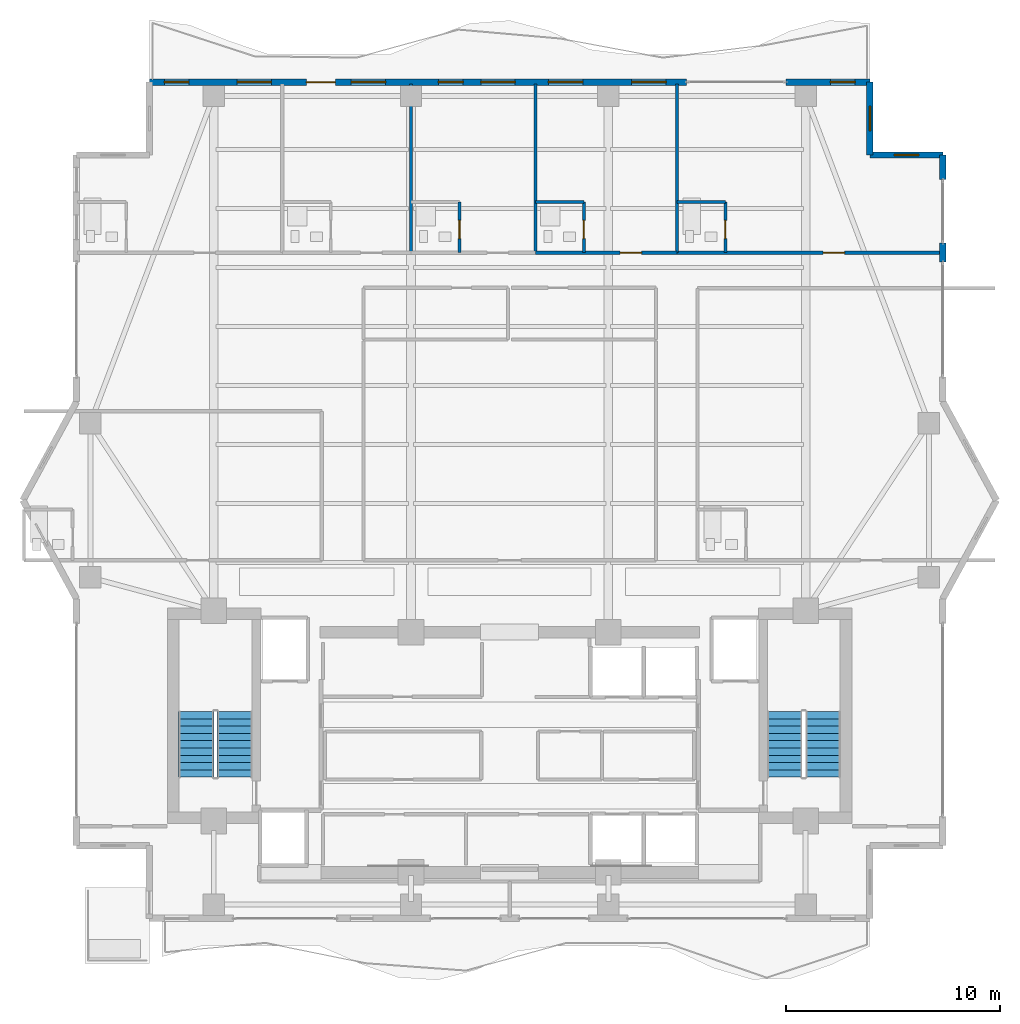
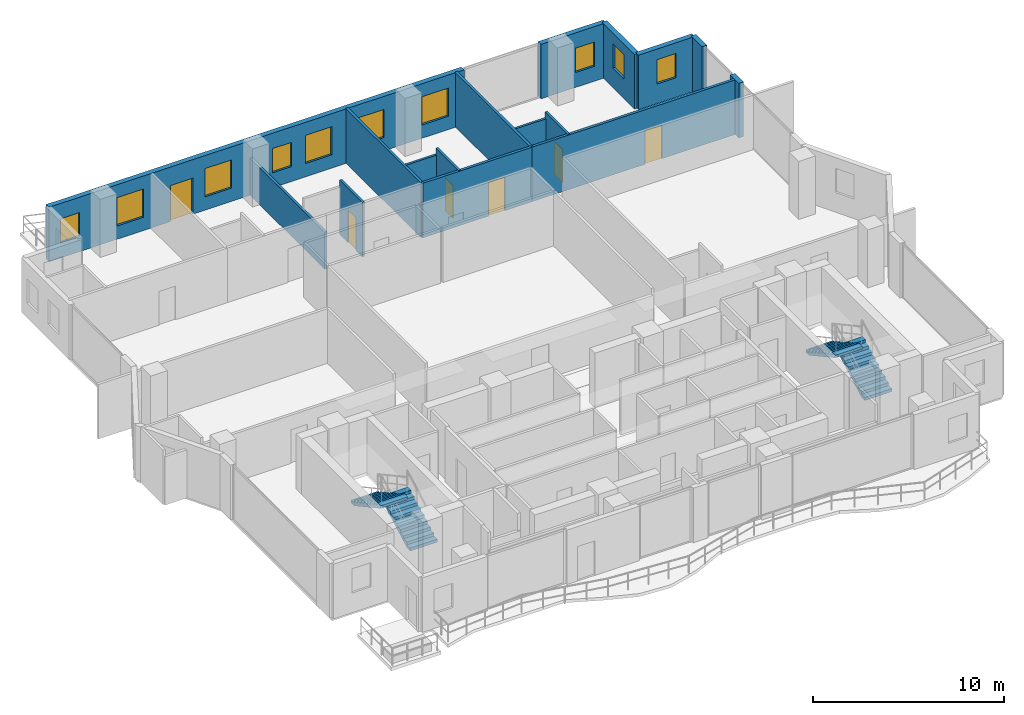
# One storey, part 21 of 26: 16 walls, 10 windows, 6 doors, 4 stair flights, 16 openings, 2 elements without a shape of their own.
"""IFC4 building model written with IfcOpenShell, lengths in metres."""

from ifc_helpers import new_model, si_unit, direction, frame, frame_2d, origin, place, context, subcontext, project, spatial, polyline, rectangle, outline, extrude, material, layer, layer_set, type_object, element, fill, aggregate, save


model = new_model("IFC4")

# Units and contexts
model_context = context("Model", 3, precision=1e-05, world=origin(), true_north=direction((0.0, 1.0)))
body_context = subcontext(model_context, "Body", "Model", "MODEL_VIEW")
ifc_project = project(units=[si_unit("LENGTHUNIT", "METRE"), si_unit("AREAUNIT", "SQUARE_METRE"), si_unit("VOLUMEUNIT", "CUBIC_METRE"), si_unit("PLANEANGLEUNIT", "RADIAN"), si_unit("MASSUNIT", "GRAM", prefix="KILO")], contexts=[model_context])

# Site, building, storey
site_placement = place(None, origin())
site = spatial("IfcSite", under=ifc_project, at=site_placement, CompositionType="ELEMENT")
building_placement = place(site_placement, origin())
building = spatial("IfcBuilding", under=site, at=building_placement, Name="Zuhayl Quay Hotel", CompositionType="ELEMENT")
storey_placement = place(building_placement, frame((0.0, 0.0, 247.050048828125)))
storey = spatial("IfcBuildingStorey", under=building, at=storey_placement, Name="L62", CompositionType="ELEMENT", Elevation=247.050048828125)

# Wall, openings, door, windows
ifc_material_1 = material(Name="Precast concrete C45/55", Category="concrete")
ifc_layer_1 = layer(ifc_material_1, 0.300048828125, Name="Precast concrete C45/55", Category="concrete")
ifc_layer_set_1 = layer_set([ifc_layer_1], Name="Precast concrete C45/55")
wall_type_1 = type_object("IfcWallType", Name="WL_EXT_300", PredefinedType="STANDARD", material=ifc_layer_set_1)
wall_1_placement = place(storey_placement, frame((-16.800048828125, 39.0, 0.0), z_axis=(0.0, 0.0, 1.0), x_axis=(1.0, 0.0, 0.0)))
wall_1 = element("IfcWall", 1, at=wall_1_placement, inside=storey, type_object=wall_type_1, Name="L62 Exterior Precast Wall ENV_L62_N_EW1", PredefinedType="STANDARD", context=body_context, shape_type="SweptSolid", body=[
    extrude(rectangle(XDim=25.050048828125, YDim=0.300048828125, at=frame_2d((12.52490234375, 0.0))), origin(), (0.0, 0.0, 1.0), 3.47998046875),
])
opening_1_placement = place(wall_1_placement, frame((7.324951171875, 0.0, 0.0)))
opening_1 = element("IfcOpeningElement", 2, at=opening_1_placement, cuts=wall_1, Name="Opening DG2", PredefinedType="OPENING", context=body_context, shape_type="SweptSolid", body=[
    extrude(rectangle(XDim=1.35009765625, YDim=2.300048828125, at=frame_2d((0.675048828125, 1.14990234375))), frame((0.0, 0.159912109375, 0.0), z_axis=(0.0, -1.0, 0.0), x_axis=(1.0, 0.0, 0.0)), (0.0, 0.0, 1.0), 0.320068359375),
])
opening_2_placement = place(wall_1_placement, frame((15.4599609375, 0.0, 0.85009765625)))
opening_2 = element("IfcOpeningElement", 3, at=opening_2_placement, cuts=wall_1, Name="Opening W01", PredefinedType="OPENING", context=body_context, shape_type="SweptSolid", body=[
    extrude(rectangle(XDim=1.60009765625, YDim=1.800048828125, at=frame_2d((0.800048828125, 0.89990234375))), frame((0.0, 0.159912109375, 0.0), z_axis=(0.0, -1.0, 0.0), x_axis=(1.0, 0.0, 0.0)), (0.0, 0.0, 1.0), 0.320068359375),
])
opening_3_placement = place(wall_1_placement, frame((0.695068359375, 0.0, 0.949951171875)))
opening_3 = element("IfcOpeningElement", 4, at=opening_3_placement, cuts=wall_1, Name="Opening W01N", PredefinedType="OPENING", context=body_context, shape_type="SweptSolid", body=[
    extrude(rectangle(XDim=1.14990234375, YDim=1.550048828125, at=frame_2d((0.574951171875, 0.77490234375))), frame((0.0, 0.159912109375, 0.0), z_axis=(0.0, -1.0, 0.0), x_axis=(1.0, 0.0, 0.0)), (0.0, 0.0, 1.0), 0.320068359375),
])
opening_4_placement = place(wall_1_placement, frame((4.090087890625, 0.0, 0.85009765625)))
opening_4 = element("IfcOpeningElement", 5, at=opening_4_placement, cuts=wall_1, Name="Opening W01", PredefinedType="OPENING", context=body_context, shape_type="SweptSolid", body=[
    extrude(rectangle(XDim=1.60009765625, YDim=1.800048828125, at=frame_2d((0.800048828125, 0.89990234375))), frame((0.0, 0.159912109375, 0.0), z_axis=(0.0, -1.0, 0.0), x_axis=(1.0, 0.0, 0.0)), (0.0, 0.0, 1.0), 0.320068359375),
])
opening_5_placement = place(wall_1_placement, frame((9.41259765625, 0.0, 0.85009765625)))
opening_5 = element("IfcOpeningElement", 6, at=opening_5_placement, cuts=wall_1, Name="Opening W01", PredefinedType="OPENING", context=body_context, shape_type="SweptSolid", body=[
    extrude(rectangle(XDim=1.60009765625, YDim=1.800048828125, at=frame_2d((0.800048828125, 0.89990234375))), frame((0.0, 0.159912109375, 0.0), z_axis=(0.0, -1.0, 0.0), x_axis=(1.0, 0.0, 0.0)), (0.0, 0.0, 1.0), 0.320068359375),
])
opening_6_placement = place(wall_1_placement, frame((13.47998046875, 0.0, 0.949951171875)))
opening_6 = element("IfcOpeningElement", 7, at=opening_6_placement, cuts=wall_1, Name="Opening W01N", PredefinedType="OPENING", context=body_context, shape_type="SweptSolid", body=[
    extrude(rectangle(XDim=1.14990234375, YDim=1.550048828125, at=frame_2d((0.574951171875, 0.77490234375))), frame((0.0, 0.159912109375, 0.0), z_axis=(0.0, -1.0, 0.0), x_axis=(1.0, 0.0, 0.0)), (0.0, 0.0, 1.0), 0.320068359375),
])
opening_7_placement = place(wall_1_placement, frame((18.610107421875, 0.0, 0.85009765625)))
opening_7 = element("IfcOpeningElement", 8, at=opening_7_placement, cuts=wall_1, Name="Opening W01", PredefinedType="OPENING", context=body_context, shape_type="SweptSolid", body=[
    extrude(rectangle(XDim=1.60009765625, YDim=1.800048828125, at=frame_2d((0.800048828125, 0.89990234375))), frame((0.0, 0.159912109375, 0.0), z_axis=(0.0, -1.0, 0.0), x_axis=(1.0, 0.0, 0.0)), (0.0, 0.0, 1.0), 0.320068359375),
])
opening_8_placement = place(wall_1_placement, frame((22.489990234375, 0.0, 0.85009765625)))
opening_8 = element("IfcOpeningElement", 9, at=opening_8_placement, cuts=wall_1, Name="Opening W01", PredefinedType="OPENING", context=body_context, shape_type="SweptSolid", body=[
    extrude(rectangle(XDim=1.60009765625, YDim=1.800048828125, at=frame_2d((0.800048828125, 0.89990234375))), frame((0.0, 0.159912109375, 0.0), z_axis=(0.0, -1.0, 0.0), x_axis=(1.0, 0.0, 0.0)), (0.0, 0.0, 1.0), 0.320068359375),
])
ifc_material_2 = material(Name="Anodised Aluminium and Dark Solar Glass", Category="aluminium")
door_type_1 = type_object("IfcDoorType", Name="DR_EXT_TERR_1350", OperationType="NOTDEFINED", PredefinedType="DOOR", material=ifc_material_2)
door_1_placement = place(opening_1_placement, origin())
door_1 = element("IfcDoor", 10, at=door_1_placement, inside=storey, type_object=door_type_1, Name="L62 North Rippling Balcony Door", OperationType="SINGLE_SWING_LEFT", OverallHeight=2.300048828125, OverallWidth=1.35009765625, PredefinedType="DOOR", context=body_context, shape_type="SweptSolid", body=[
    extrude(rectangle(XDim=1.35009765625, YDim=2.300048828125, at=frame_2d((0.675048828125, 1.14990234375))), frame((0.0, 0.02490234375, 0.0), z_axis=(0.0, -1.0, 0.0), x_axis=(1.0, 0.0, 0.0)), (0.0, 0.0, 1.0), 0.050048828125),
])
fill(opening_1, door_1)
ifc_material_3 = material(Name="Dark Ceramic-Fritted Solar Glass", Category="glass")
window_type_1 = type_object("IfcWindowType", Name="WN_NOTCH_1350", PartitioningType="SINGLE_PANEL", PredefinedType="WINDOW", material=ifc_material_3)
window_1_placement = place(opening_3_placement, origin())
window_1 = element("IfcWindow", 11, at=window_1_placement, inside=storey, type_object=window_type_1, Name="L62 Operable Facade Window 1-1", OverallHeight=1.550048828125, OverallWidth=1.14990234375, PartitioningType="SINGLE_PANEL", PredefinedType="WINDOW", context=body_context, shape_type="SweptSolid", body=[
    extrude(rectangle(XDim=1.14990234375, YDim=1.550048828125, at=frame_2d((0.574951171875, 0.77490234375))), frame((0.0, 0.030029296875, 0.0), z_axis=(0.0, -1.0, 0.0), x_axis=(1.0, 0.0, 0.0)), (0.0, 0.0, 1.0), 0.06005859375),
])
fill(opening_3, window_1)
window_2_placement = place(opening_6_placement, origin())
window_2 = element("IfcWindow", 12, at=window_2_placement, inside=storey, type_object=window_type_1, Name="L62 Operable Facade Window 1-4", OverallHeight=1.550048828125, OverallWidth=1.14990234375, PartitioningType="SINGLE_PANEL", PredefinedType="WINDOW", context=body_context, shape_type="SweptSolid", body=[
    extrude(rectangle(XDim=1.14990234375, YDim=1.550048828125, at=frame_2d((0.574951171875, 0.77490234375))), frame((0.0, 0.030029296875, 0.0), z_axis=(0.0, -1.0, 0.0), x_axis=(1.0, 0.0, 0.0)), (0.0, 0.0, 1.0), 0.06005859375),
])
fill(opening_6, window_2)
window_type_2 = type_object("IfcWindowType", Name="WN_OPERABLE_1600", PartitioningType="DOUBLE_PANEL_VERTICAL", PredefinedType="WINDOW", material=ifc_material_3)
window_3_placement = place(opening_2_placement, origin())
window_3 = element("IfcWindow", 13, at=window_3_placement, inside=storey, type_object=window_type_2, Name="L62 North Operable Casement Window", OverallHeight=1.800048828125, OverallWidth=1.60009765625, PartitioningType="SINGLE_PANEL", PredefinedType="WINDOW", context=body_context, shape_type="SweptSolid", body=[
    extrude(rectangle(XDim=1.60009765625, YDim=1.800048828125, at=frame_2d((0.800048828125, 0.89990234375))), frame((0.0, 0.030029296875, 0.0), z_axis=(0.0, -1.0, 0.0), x_axis=(1.0, 0.0, 0.0)), (0.0, 0.0, 1.0), 0.06005859375),
])
fill(opening_2, window_3)
window_4_placement = place(opening_4_placement, origin())
window_4 = element("IfcWindow", 14, at=window_4_placement, inside=storey, type_object=window_type_2, Name="L62 Operable Facade Window 1-2", OverallHeight=1.800048828125, OverallWidth=1.60009765625, PartitioningType="SINGLE_PANEL", PredefinedType="WINDOW", context=body_context, shape_type="SweptSolid", body=[
    extrude(rectangle(XDim=1.60009765625, YDim=1.800048828125, at=frame_2d((0.800048828125, 0.89990234375))), frame((0.0, 0.030029296875, 0.0), z_axis=(0.0, -1.0, 0.0), x_axis=(1.0, 0.0, 0.0)), (0.0, 0.0, 1.0), 0.06005859375),
])
fill(opening_4, window_4)
window_5_placement = place(opening_5_placement, origin())
window_5 = element("IfcWindow", 15, at=window_5_placement, inside=storey, type_object=window_type_2, Name="L62 Operable Facade Window 1-3", OverallHeight=1.800048828125, OverallWidth=1.60009765625, PartitioningType="SINGLE_PANEL", PredefinedType="WINDOW", context=body_context, shape_type="SweptSolid", body=[
    extrude(rectangle(XDim=1.60009765625, YDim=1.800048828125, at=frame_2d((0.800048828125, 0.89990234375))), frame((0.0, 0.030029296875, 0.0), z_axis=(0.0, -1.0, 0.0), x_axis=(1.0, 0.0, 0.0)), (0.0, 0.0, 1.0), 0.06005859375),
])
fill(opening_5, window_5)
window_6_placement = place(opening_7_placement, origin())
window_6 = element("IfcWindow", 16, at=window_6_placement, inside=storey, type_object=window_type_2, Name="L62 Operable Facade Window 1-5", OverallHeight=1.800048828125, OverallWidth=1.60009765625, PartitioningType="SINGLE_PANEL", PredefinedType="WINDOW", context=body_context, shape_type="SweptSolid", body=[
    extrude(rectangle(XDim=1.60009765625, YDim=1.800048828125, at=frame_2d((0.800048828125, 0.89990234375))), frame((0.0, 0.030029296875, 0.0), z_axis=(0.0, -1.0, 0.0), x_axis=(1.0, 0.0, 0.0)), (0.0, 0.0, 1.0), 0.06005859375),
])
fill(opening_7, window_6)
window_7_placement = place(opening_8_placement, origin())
window_7 = element("IfcWindow", 17, at=window_7_placement, inside=storey, type_object=window_type_2, Name="L62 Operable Facade Window 1-6", OverallHeight=1.800048828125, OverallWidth=1.60009765625, PartitioningType="SINGLE_PANEL", PredefinedType="WINDOW", context=body_context, shape_type="SweptSolid", body=[
    extrude(rectangle(XDim=1.60009765625, YDim=1.800048828125, at=frame_2d((0.800048828125, 0.89990234375))), frame((0.0, 0.030029296875, 0.0), z_axis=(0.0, -1.0, 0.0), x_axis=(1.0, 0.0, 0.0)), (0.0, 0.0, 1.0), 0.06005859375),
])
fill(opening_8, window_7)

# Wall, opening, window
wall_2_placement = place(storey_placement, frame((12.8798828125, 39.0, 0.0), z_axis=(0.0, 0.0, 1.0), x_axis=(1.0, 0.0, 0.0)))
wall_2 = element("IfcWall", 18, at=wall_2_placement, inside=storey, type_object=wall_type_1, Name="L62 Exterior Precast Wall ENV_L62_N_EW2", PredefinedType="STANDARD", context=body_context, shape_type="SweptSolid", body=[
    extrude(rectangle(XDim=3.920166015625, YDim=0.300048828125, at=frame_2d((1.9599609375, 0.0))), origin(), (0.0, 0.0, 1.0), 3.47998046875),
])
opening_9_placement = place(wall_2_placement, frame((2.074951171875, 0.0, 0.949951171875)))
opening_9 = element("IfcOpeningElement", 19, at=opening_9_placement, cuts=wall_2, Name="Opening W01N", PredefinedType="OPENING", context=body_context, shape_type="SweptSolid", body=[
    extrude(rectangle(XDim=1.14990234375, YDim=1.550048828125, at=frame_2d((0.574951171875, 0.77490234375))), frame((0.0, 0.159912109375, 0.0), z_axis=(0.0, -1.0, 0.0), x_axis=(1.0, 0.0, 0.0)), (0.0, 0.0, 1.0), 0.320068359375),
])
window_8_placement = place(opening_9_placement, origin())
window_8 = element("IfcWindow", 20, at=window_8_placement, inside=storey, type_object=window_type_1, Name="L62 Operable Facade Window 2-1", OverallHeight=1.550048828125, OverallWidth=1.14990234375, PartitioningType="SINGLE_PANEL", PredefinedType="WINDOW", context=body_context, shape_type="SweptSolid", body=[
    extrude(rectangle(XDim=1.14990234375, YDim=1.550048828125, at=frame_2d((0.574951171875, 0.77490234375))), frame((0.0, 0.030029296875, 0.0), z_axis=(0.0, -1.0, 0.0), x_axis=(1.0, 0.0, 0.0)), (0.0, 0.0, 1.0), 0.06005859375),
])
fill(opening_9, window_8)

wall_3_placement = place(storey_placement, frame((16.800048828125, 39.0, 0.0), z_axis=(0.0, 0.0, 1.0), x_axis=(0.0, -1.0, 0.0)))
wall_3 = element("IfcWall", 21, at=wall_3_placement, inside=storey, type_object=wall_type_1, Name="L62 Exterior Precast Wall ENV_L62_EW09", PredefinedType="STANDARD", context=body_context, shape_type="SweptSolid", body=[
    extrude(rectangle(XDim=3.39990234375, YDim=0.300048828125, at=frame_2d((1.699951171875, 0.0))), origin(), (0.0, 0.0, 1.0), 3.47998046875),
])
opening_10_placement = place(wall_3_placement, frame((1.125, 0.0, 1.25)))
opening_10 = element("IfcOpeningElement", 22, at=opening_10_placement, cuts=wall_3, Name="Opening W01N", PredefinedType="OPENING", context=body_context, shape_type="SweptSolid", body=[
    extrude(rectangle(XDim=1.14990234375, YDim=1.550048828125, at=frame_2d((0.574951171875, 0.77490234375))), frame((0.0, 0.159912109375, 0.0), z_axis=(0.0, -1.0, 0.0), x_axis=(1.0, 0.0, 0.0)), (0.0, 0.0, 1.0), 0.320068359375),
])
window_9_placement = place(opening_10_placement, origin())
window_9 = element("IfcWindow", 23, at=window_9_placement, inside=storey, type_object=window_type_1, Name="L62 Corner Notch Window 9", OverallHeight=1.550048828125, OverallWidth=1.14990234375, PartitioningType="SINGLE_PANEL", PredefinedType="WINDOW", context=body_context, shape_type="SweptSolid", body=[
    extrude(rectangle(XDim=1.14990234375, YDim=1.550048828125, at=frame_2d((0.574951171875, 0.77490234375))), frame((0.0, 0.030029296875, 0.0), z_axis=(0.0, -1.0, 0.0), x_axis=(1.0, 0.0, 0.0)), (0.0, 0.0, 1.0), 0.06005859375),
])
fill(opening_10, window_9)

wall_4_placement = place(storey_placement, frame((16.800048828125, 35.60009765625, 0.0), z_axis=(0.0, 0.0, 1.0), x_axis=(1.0, 0.0, 0.0)))
wall_4 = element("IfcWall", 24, at=wall_4_placement, inside=storey, type_object=wall_type_1, Name="L62 Exterior Precast Wall ENV_L62_EW10", PredefinedType="STANDARD", context=body_context, shape_type="SweptSolid", body=[
    extrude(rectangle(XDim=3.39990234375, YDim=0.300048828125, at=frame_2d((1.699951171875, 0.0))), origin(), (0.0, 0.0, 1.0), 3.47998046875),
])
opening_11_placement = place(wall_4_placement, frame((1.125, 0.0, 1.25)))
opening_11 = element("IfcOpeningElement", 25, at=opening_11_placement, cuts=wall_4, Name="Opening W01N", PredefinedType="OPENING", context=body_context, shape_type="SweptSolid", body=[
    extrude(rectangle(XDim=1.14990234375, YDim=1.550048828125, at=frame_2d((0.574951171875, 0.77490234375))), frame((0.0, 0.159912109375, 0.0), z_axis=(0.0, -1.0, 0.0), x_axis=(1.0, 0.0, 0.0)), (0.0, 0.0, 1.0), 0.320068359375),
])
window_10_placement = place(opening_11_placement, origin())
window_10 = element("IfcWindow", 26, at=window_10_placement, inside=storey, type_object=window_type_1, Name="L62 Corner Notch Window 10", OverallHeight=1.550048828125, OverallWidth=1.14990234375, PartitioningType="SINGLE_PANEL", PredefinedType="WINDOW", context=body_context, shape_type="SweptSolid", body=[
    extrude(rectangle(XDim=1.14990234375, YDim=1.550048828125, at=frame_2d((0.574951171875, 0.77490234375))), frame((0.0, 0.030029296875, 0.0), z_axis=(0.0, -1.0, 0.0), x_axis=(1.0, 0.0, 0.0)), (0.0, 0.0, 1.0), 0.06005859375),
])
fill(opening_11, window_10)

# Walls
wall_5_placement = place(storey_placement, frame((20.199951171875, 35.60009765625, 0.0), z_axis=(0.0, 0.0, 1.0), x_axis=(0.0, -1.0, 0.0)))
element("IfcWall", 27, at=wall_5_placement, inside=storey, type_object=wall_type_1, Name="L62 Exterior Precast Wall ENV_L62_E11_EW1", PredefinedType="STANDARD", context=body_context, shape_type="SweptSolid", body=[
    extrude(rectangle(XDim=1.150146484375, YDim=0.300048828125, at=frame_2d((0.5751953125, 0.0))), origin(), (0.0, 0.0, 1.0), 3.47998046875),
])
wall_6_placement = place(storey_placement, frame((20.199951171875, 31.5, 0.0), z_axis=(0.0, 0.0, 1.0), x_axis=(0.0, -1.0, 0.0)))
element("IfcWall", 28, at=wall_6_placement, inside=storey, type_object=wall_type_1, Name="L62 Exterior Precast Wall ENV_L62_E11_EW2", PredefinedType="STANDARD", context=body_context, shape_type="SweptSolid", body=[
    extrude(rectangle(XDim=0.89990234375, YDim=0.300048828125, at=frame_2d((0.449951171875, 0.0))), origin(), (0.0, 0.0, 1.0), 3.47998046875),
])
ifc_material_4 = material(Name="Acoustic Gypsum Partition STC-58")
ifc_layer_2 = layer(ifc_material_4, 0.14990234375, Name="Acoustic Gypsum Partition STC-58")
ifc_layer_set_2 = layer_set([ifc_layer_2], Name="Acoustic Gypsum Partition STC-58")
wall_type_2 = type_object("IfcWallType", Name="WL_PART_150", PredefinedType="PARTITIONING", material=ifc_layer_set_2)
wall_7_placement = place(storey_placement, frame((-4.60009765625, 31.050048828125, 0.0), z_axis=(0.0, 0.0, 1.0), x_axis=(0.0, 1.0, 0.0)))
element("IfcWall", 29, at=wall_7_placement, inside=storey, type_object=wall_type_2, Name="L62 Partition IW_L62_NU02_E", PredefinedType="PARTITIONING", context=body_context, shape_type="SweptSolid", body=[
    extrude(rectangle(XDim=7.869873046875, YDim=0.14990234375, at=frame_2d((3.93505859375, 0.0))), origin(), (0.0, 0.0, 1.0), 2.362060546875),
])
for number, where, z_axis, x_axis, name in (
    (30, (1.199951171875, 31.050048828125, 0.0), (0.0, 0.0, 1.0), (0.0, 1.0, 0.0), "L62 Partition IW_L62_NU03_E"),
    (31, (7.800048828125, 31.050048828125, 0.0), (0.0, 0.0, 1.0), (0.0, 1.0, 0.0), "L62 Partition IW_L62_NU04_E"),
):
    element("IfcWall", number, at=place(storey_placement, frame(where, z_axis=z_axis, x_axis=x_axis)), inside=storey, type_object=wall_type_2, Name=name, PredefinedType="PARTITIONING", context=body_context, shape_type="SweptSolid", body=[
        extrude(rectangle(XDim=7.869873046875, YDim=0.14990234375, at=frame_2d((3.93505859375, 0.0))), origin(), (0.0, 0.0, 1.0), 3.47998046875),
    ])

# Wall, opening, door
ifc_layer_3 = layer(ifc_material_4, 0.159912109375, Name="Acoustic Gypsum Partition STC-58")
ifc_layer_set_3 = layer_set([ifc_layer_3], Name="Acoustic Gypsum Partition STC-58")
wall_type_3 = type_object("IfcWallType", Name="WL_PART_CORR_160", PredefinedType="PARTITIONING", material=ifc_layer_set_3)
wall_8_placement = place(storey_placement, frame((1.199951171875, 31.050048828125, 0.0), z_axis=(0.0, 0.0, 1.0), x_axis=(1.0, 0.0, 0.0)))
wall_8 = element("IfcWall", 32, at=wall_8_placement, inside=storey, type_object=wall_type_3, Name="L62 Partition IW_L62_NU04_COR", PredefinedType="PARTITIONING", context=body_context, shape_type="SweptSolid", body=[
    extrude(rectangle(XDim=6.60009765625, YDim=0.159912109375, at=frame_2d((3.300048828125, 0.0))), origin(), (0.0, 0.0, 1.0), 3.47998046875),
])
opening_12_placement = place(wall_8_placement, frame((3.949951171875, 0.0, 0.0)))
opening_12 = element("IfcOpeningElement", 33, at=opening_12_placement, cuts=wall_8, Name="Opening D03L", PredefinedType="OPENING", context=body_context, shape_type="SweptSolid", body=[
    extrude(rectangle(XDim=1.0, YDim=2.14990234375, at=frame_2d((0.5, 1.074951171875))), frame((0.0, 0.08984375, 0.0), z_axis=(0.0, -1.0, 0.0), x_axis=(1.0, 0.0, 0.0)), (0.0, 0.0, 1.0), 0.179931640625),
])
ifc_material_5 = material(Name="Solid Walnut Acoustic Fire Door")
door_type_2 = type_object("IfcDoorType", Name="DR_SUITE_1000", OperationType="NOTDEFINED", PredefinedType="DOOR", material=ifc_material_5)
door_2_placement = place(opening_12_placement, origin())
door_2 = element("IfcDoor", 34, at=door_2_placement, inside=storey, type_object=door_type_2, Name="L62 Royal Gulf Suite L62-04 Entrance Door", OperationType="SINGLE_SWING_RIGHT", OverallHeight=2.14990234375, OverallWidth=1.0, PredefinedType="DOOR", context=body_context, shape_type="SweptSolid", body=[
    extrude(rectangle(XDim=1.0, YDim=2.14990234375, at=frame_2d((0.5, 1.074951171875))), frame((0.0, 0.02490234375, 0.0), z_axis=(0.0, -1.0, 0.0), x_axis=(1.0, 0.0, 0.0)), (0.0, 0.0, 1.0), 0.050048828125),
])
fill(opening_12, door_2)

wall_9_placement = place(storey_placement, frame((7.800048828125, 31.050048828125, 0.0), z_axis=(0.0, 0.0, 1.0), x_axis=(1.0, 0.0, 0.0)))
wall_9 = element("IfcWall", 35, at=wall_9_placement, inside=storey, type_object=wall_type_3, Name="L62 Partition IW_L62_NU05_COR", PredefinedType="PARTITIONING", context=body_context, shape_type="SweptSolid", body=[
    extrude(rectangle(XDim=12.33984375, YDim=0.159912109375, at=frame_2d((6.169921875, 0.0))), origin(), (0.0, 0.0, 1.0), 3.47998046875),
])
opening_13_placement = place(wall_9_placement, frame((6.820068359375, 0.0, 0.0)))
opening_13 = element("IfcOpeningElement", 36, at=opening_13_placement, cuts=wall_9, Name="Opening D03L", PredefinedType="OPENING", context=body_context, shape_type="SweptSolid", body=[
    extrude(rectangle(XDim=1.0, YDim=2.14990234375, at=frame_2d((0.5, 1.074951171875))), frame((0.0, 0.08984375, 0.0), z_axis=(0.0, -1.0, 0.0), x_axis=(1.0, 0.0, 0.0)), (0.0, 0.0, 1.0), 0.179931640625),
])
door_3_placement = place(opening_13_placement, origin())
door_3 = element("IfcDoor", 37, at=door_3_placement, inside=storey, type_object=door_type_2, Name="L62 Royal Gulf Suite L62-05 Entrance Door", OperationType="SINGLE_SWING_RIGHT", OverallHeight=2.14990234375, OverallWidth=1.0, PredefinedType="DOOR", context=body_context, shape_type="SweptSolid", body=[
    extrude(rectangle(XDim=1.0, YDim=2.14990234375, at=frame_2d((0.5, 1.074951171875))), frame((0.0, 0.02490234375, 0.0), z_axis=(0.0, -1.0, 0.0), x_axis=(1.0, 0.0, 0.0)), (0.0, 0.0, 1.0), 0.050048828125),
])
fill(opening_13, door_3)

ifc_material_6 = material(Name="Moisture-Resistant Sanitarychase Gypsum")
ifc_layer_4 = layer(ifc_material_6, 0.135009765625, Name="Moisture-Resistant Sanitarychase Gypsum")
ifc_layer_set_4 = layer_set([ifc_layer_4], Name="Moisture-Resistant Sanitarychase Gypsum")
wall_type_4 = type_object("IfcWallType", Name="WL_PART_PLUMB_150", PredefinedType="PLUMBINGWALL", material=ifc_layer_set_4)
wall_10_placement = place(storey_placement, frame((-2.340087890625, 31.050048828125, 0.0), z_axis=(0.0, 0.0, 1.0), x_axis=(0.0, 1.0, 0.0)))
wall_10 = element("IfcWall", 38, at=wall_10_placement, inside=storey, type_object=wall_type_4, Name="L62 Partition IW_L62_NU03_BE", PredefinedType="PLUMBINGWALL", context=body_context, shape_type="SweptSolid", body=[
    extrude(rectangle(XDim=2.35986328125, YDim=0.135009765625, at=frame_2d((1.179931640625, 0.0))), origin(), (0.0, 0.0, 1.0), 3.47998046875),
])
opening_14_placement = place(wall_10_placement, frame((0.64990234375, 0.0, 0.0)))
opening_14 = element("IfcOpeningElement", 39, at=opening_14_placement, cuts=wall_10, Name="Opening D04", PredefinedType="OPENING", context=body_context, shape_type="SweptSolid", body=[
    extrude(rectangle(XDim=0.85009765625, YDim=2.10009765625, at=frame_2d((0.425048828125, 1.050048828125))), frame((0.0, 0.077392578125, 0.0), z_axis=(0.0, -1.0, 0.0), x_axis=(1.0, 0.0, 0.0)), (0.0, 0.0, 1.0), 0.155029296875),
])
ifc_material_7 = material(Name="Moisture-Resistant Walnut Veneer")
door_type_3 = type_object("IfcDoorType", Name="DR_BATH_850", OperationType="NOTDEFINED", PredefinedType="DOOR", material=ifc_material_7)
door_4_placement = place(opening_14_placement, origin())
door_4 = element("IfcDoor", 40, at=door_4_placement, inside=storey, type_object=door_type_3, Name="L62 Royal Gulf Suite L62-03 En-Suite Door", OperationType="SINGLE_SWING_LEFT", OverallHeight=2.10009765625, OverallWidth=0.85009765625, PredefinedType="DOOR", context=body_context, shape_type="SweptSolid", body=[
    extrude(rectangle(XDim=0.85009765625, YDim=2.10009765625, at=frame_2d((0.425048828125, 1.050048828125))), frame((0.0, 0.02490234375, 0.0), z_axis=(0.0, -1.0, 0.0), x_axis=(1.0, 0.0, 0.0)), (0.0, 0.0, 1.0), 0.050048828125),
])
fill(opening_14, door_4)

wall_11_placement = place(storey_placement, frame((3.4599609375, 31.050048828125, 0.0), z_axis=(0.0, 0.0, 1.0), x_axis=(0.0, 1.0, 0.0)))
wall_11 = element("IfcWall", 41, at=wall_11_placement, inside=storey, type_object=wall_type_4, Name="L62 Partition IW_L62_NU04_BE", PredefinedType="PLUMBINGWALL", context=body_context, shape_type="SweptSolid", body=[
    extrude(rectangle(XDim=2.35986328125, YDim=0.135009765625, at=frame_2d((1.179931640625, 0.0))), origin(), (0.0, 0.0, 1.0), 3.47998046875),
])
opening_15_placement = place(wall_11_placement, frame((0.64990234375, 0.0, 0.0)))
opening_15 = element("IfcOpeningElement", 42, at=opening_15_placement, cuts=wall_11, Name="Opening D04", PredefinedType="OPENING", context=body_context, shape_type="SweptSolid", body=[
    extrude(rectangle(XDim=0.85009765625, YDim=2.10009765625, at=frame_2d((0.425048828125, 1.050048828125))), frame((0.0, 0.077392578125, 0.0), z_axis=(0.0, -1.0, 0.0), x_axis=(1.0, 0.0, 0.0)), (0.0, 0.0, 1.0), 0.155029296875),
])
door_5_placement = place(opening_15_placement, origin())
door_5 = element("IfcDoor", 43, at=door_5_placement, inside=storey, type_object=door_type_3, Name="L62 Royal Gulf Suite L62-04 En-Suite Door", OperationType="SINGLE_SWING_LEFT", OverallHeight=2.10009765625, OverallWidth=0.85009765625, PredefinedType="DOOR", context=body_context, shape_type="SweptSolid", body=[
    extrude(rectangle(XDim=0.85009765625, YDim=2.10009765625, at=frame_2d((0.425048828125, 1.050048828125))), frame((0.0, 0.02490234375, 0.0), z_axis=(0.0, -1.0, 0.0), x_axis=(1.0, 0.0, 0.0)), (0.0, 0.0, 1.0), 0.050048828125),
])
fill(opening_15, door_5)

wall_12_placement = place(storey_placement, frame((10.06005859375, 31.050048828125, 0.0), z_axis=(0.0, 0.0, 1.0), x_axis=(0.0, 1.0, 0.0)))
wall_12 = element("IfcWall", 44, at=wall_12_placement, inside=storey, type_object=wall_type_4, Name="L62 Partition IW_L62_NU05_BE", PredefinedType="PLUMBINGWALL", context=body_context, shape_type="SweptSolid", body=[
    extrude(rectangle(XDim=2.35986328125, YDim=0.135009765625, at=frame_2d((1.179931640625, 0.0))), origin(), (0.0, 0.0, 1.0), 3.47998046875),
])
opening_16_placement = place(wall_12_placement, frame((0.64990234375, 0.0, 0.0)))
opening_16 = element("IfcOpeningElement", 45, at=opening_16_placement, cuts=wall_12, Name="Opening D04", PredefinedType="OPENING", context=body_context, shape_type="SweptSolid", body=[
    extrude(rectangle(XDim=0.85009765625, YDim=2.10009765625, at=frame_2d((0.425048828125, 1.050048828125))), frame((0.0, 0.077392578125, 0.0), z_axis=(0.0, -1.0, 0.0), x_axis=(1.0, 0.0, 0.0)), (0.0, 0.0, 1.0), 0.155029296875),
])
door_6_placement = place(opening_16_placement, origin())
door_6 = element("IfcDoor", 46, at=door_6_placement, inside=storey, type_object=door_type_3, Name="L62 Royal Gulf Suite L62-05 En-Suite Door", OperationType="SINGLE_SWING_LEFT", OverallHeight=2.10009765625, OverallWidth=0.85009765625, PredefinedType="DOOR", context=body_context, shape_type="SweptSolid", body=[
    extrude(rectangle(XDim=0.85009765625, YDim=2.10009765625, at=frame_2d((0.425048828125, 1.050048828125))), frame((0.0, 0.02490234375, 0.0), z_axis=(0.0, -1.0, 0.0), x_axis=(1.0, 0.0, 0.0)), (0.0, 0.0, 1.0), 0.050048828125),
])
fill(opening_16, door_6)

# Walls
for number, where, z_axis, x_axis, name in (
    (47, (1.199951171875, 33.409912109375, 0.0), (0.0, 0.0, 1.0), (1.0, 0.0, 0.0), "L62 Partition IW_L62_NU04_BN"),
    (48, (7.800048828125, 33.409912109375, 0.0), (0.0, 0.0, 1.0), (1.0, 0.0, 0.0), "L62 Partition IW_L62_NU05_BN"),
):
    element("IfcWall", number, at=place(storey_placement, frame(where, z_axis=z_axis, x_axis=x_axis)), inside=storey, type_object=wall_type_4, Name=name, PredefinedType="PLUMBINGWALL", context=body_context, shape_type="SweptSolid", body=[
        extrude(rectangle(XDim=2.260009765625, YDim=0.135009765625, at=frame_2d((1.1298828125, 0.0))), origin(), (0.0, 0.0, 1.0), 3.075927734375),
    ])

# Stair, stair flights
ifc_material_8 = material(Name="Concrete C45/55", Category="concrete")
stair_type = type_object("IfcStairType", Name="ST_DOGLEG_TOWER", PredefinedType="HALF_TURN_STAIR", material=ifc_material_8)
stair_1_placement = place(storey_placement, origin())
stair_1 = element("IfcStair", 49, at=stair_1_placement, inside=storey, type_object=stair_type, Name="L62 Smokeproof Exit Stair ST1", PredefinedType="HALF_TURN_STAIR")
ifc_layer_5 = layer(ifc_material_8, 0.159912109375, Name="Concrete C45/55", Category="concrete")
ifc_layer_set_5 = layer_set([ifc_layer_5], Name="Concrete C45/55")
stair_flight_type = type_object("IfcStairFlightType", Name="SF_CONC_164", PredefinedType="STRAIGHT", material=ifc_layer_set_5)
stair_flight_1_placement = place(storey_placement, frame((-12.820068359375, 6.590087890625, 0.0), z_axis=(0.0, 0.0, 1.0), x_axis=(0.0, 1.0, 0.0)))
stair_flight_1 = element("IfcStairFlight", 50, at=stair_flight_1_placement, type_object=stair_flight_type, Name="ST1 flight 1", NumberOfRisers=10, NumberOfTreads=9, PredefinedType="STRAIGHT", RiserHeight=0.185, TreadLength=0.34, context=body_context, shape_type="SweptSolid", body=[
    extrude(outline(polyline([(0.0, 0.0), (0.0, 0.18505859375), (0.340087890625, 0.18505859375), (0.340087890625, 0.3701171875), (0.679931640625, 0.3701171875), (0.679931640625, 0.554931640625), (1.02001953125, 0.554931640625), (1.02001953125, 0.739990234375), (1.360107421875, 0.739990234375), (1.360107421875, 0.925048828125), (1.699951171875, 0.925048828125), (1.699951171875, 1.110107421875), (2.0400390625, 1.110107421875), (2.0400390625, 1.294921875), (2.3798828125, 1.294921875), (2.3798828125, 1.47998046875), (2.719970703125, 1.47998046875), (2.719970703125, 1.6650390625), (3.06005859375, 1.6650390625), (3.06005859375, 1.85009765625), (3.06005859375, 1.494384765625), (0.313720703125, 0.0), (0.0, 0.0)])), frame((0.0, 0.81982421875, 0.0), z_axis=(0.0, -1.0, 0.0), x_axis=(1.0, 0.0, 0.0)), (0.0, 0.0, 1.0), 1.639892578125),
])
stair_flight_2_placement = place(storey_placement, frame((-14.610107421875, 9.64990234375, 1.849853515625), z_axis=(0.0, 0.0, 1.0), x_axis=(0.0, -1.0, 0.0)))
stair_flight_2 = element("IfcStairFlight", 51, at=stair_flight_2_placement, type_object=stair_flight_type, Name="ST1 flight 2", NumberOfRisers=10, NumberOfTreads=9, PredefinedType="STRAIGHT", RiserHeight=0.185, TreadLength=0.34, context=body_context, shape_type="SweptSolid", body=[
    extrude(outline(polyline([(0.0, 0.0), (0.0, 0.18505859375), (0.340087890625, 0.18505859375), (0.340087890625, 0.3701171875), (0.679931640625, 0.3701171875), (0.679931640625, 0.554931640625), (1.02001953125, 0.554931640625), (1.02001953125, 0.739990234375), (1.360107421875, 0.739990234375), (1.360107421875, 0.925048828125), (1.699951171875, 0.925048828125), (1.699951171875, 1.110107421875), (2.0400390625, 1.110107421875), (2.0400390625, 1.294921875), (2.3798828125, 1.294921875), (2.3798828125, 1.47998046875), (2.719970703125, 1.47998046875), (2.719970703125, 1.6650390625), (3.06005859375, 1.6650390625), (3.06005859375, 1.85009765625), (3.06005859375, 1.494384765625), (0.313720703125, 0.0), (0.0, 0.0)])), frame((0.0, 0.81982421875, 0.0), z_axis=(0.0, -1.0, 0.0), x_axis=(1.0, 0.0, 0.0)), (0.0, 0.0, 1.0), 1.639892578125),
])
aggregate(stair_1, [stair_flight_1, stair_flight_2])

stair_2_placement = place(storey_placement, origin())
stair_2 = element("IfcStair", 52, at=stair_2_placement, inside=storey, type_object=stair_type, Name="L62 Smokeproof Exit Stair ST2", PredefinedType="HALF_TURN_STAIR")
stair_flight_3_placement = place(storey_placement, frame((14.610107421875, 6.590087890625, 0.0), z_axis=(0.0, 0.0, 1.0), x_axis=(0.0, 1.0, 0.0)))
stair_flight_3 = element("IfcStairFlight", 53, at=stair_flight_3_placement, type_object=stair_flight_type, Name="ST2 flight 1", NumberOfRisers=10, NumberOfTreads=9, PredefinedType="STRAIGHT", RiserHeight=0.185, TreadLength=0.34, context=body_context, shape_type="SweptSolid", body=[
    extrude(outline(polyline([(0.0, 0.0), (0.0, 0.18505859375), (0.340087890625, 0.18505859375), (0.340087890625, 0.3701171875), (0.679931640625, 0.3701171875), (0.679931640625, 0.554931640625), (1.02001953125, 0.554931640625), (1.02001953125, 0.739990234375), (1.360107421875, 0.739990234375), (1.360107421875, 0.925048828125), (1.699951171875, 0.925048828125), (1.699951171875, 1.110107421875), (2.0400390625, 1.110107421875), (2.0400390625, 1.294921875), (2.3798828125, 1.294921875), (2.3798828125, 1.47998046875), (2.719970703125, 1.47998046875), (2.719970703125, 1.6650390625), (3.06005859375, 1.6650390625), (3.06005859375, 1.85009765625), (3.06005859375, 1.494384765625), (0.313720703125, 0.0), (0.0, 0.0)])), frame((0.0, 0.81982421875, 0.0), z_axis=(0.0, -1.0, 0.0), x_axis=(1.0, 0.0, 0.0)), (0.0, 0.0, 1.0), 1.639892578125),
])
stair_flight_4_placement = place(storey_placement, frame((12.820068359375, 9.64990234375, 1.849853515625), z_axis=(0.0, 0.0, 1.0), x_axis=(0.0, -1.0, 0.0)))
stair_flight_4 = element("IfcStairFlight", 54, at=stair_flight_4_placement, type_object=stair_flight_type, Name="ST2 flight 2", NumberOfRisers=10, NumberOfTreads=9, PredefinedType="STRAIGHT", RiserHeight=0.185, TreadLength=0.34, context=body_context, shape_type="SweptSolid", body=[
    extrude(outline(polyline([(0.0, 0.0), (0.0, 0.18505859375), (0.340087890625, 0.18505859375), (0.340087890625, 0.3701171875), (0.679931640625, 0.3701171875), (0.679931640625, 0.554931640625), (1.02001953125, 0.554931640625), (1.02001953125, 0.739990234375), (1.360107421875, 0.739990234375), (1.360107421875, 0.925048828125), (1.699951171875, 0.925048828125), (1.699951171875, 1.110107421875), (2.0400390625, 1.110107421875), (2.0400390625, 1.294921875), (2.3798828125, 1.294921875), (2.3798828125, 1.47998046875), (2.719970703125, 1.47998046875), (2.719970703125, 1.6650390625), (3.06005859375, 1.6650390625), (3.06005859375, 1.85009765625), (3.06005859375, 1.494384765625), (0.313720703125, 0.0), (0.0, 0.0)])), frame((0.0, 0.81982421875, 0.0), z_axis=(0.0, -1.0, 0.0), x_axis=(1.0, 0.0, 0.0)), (0.0, 0.0, 1.0), 1.639892578125),
])
aggregate(stair_2, [stair_flight_3, stair_flight_4])

save(model, "model.ifc")
